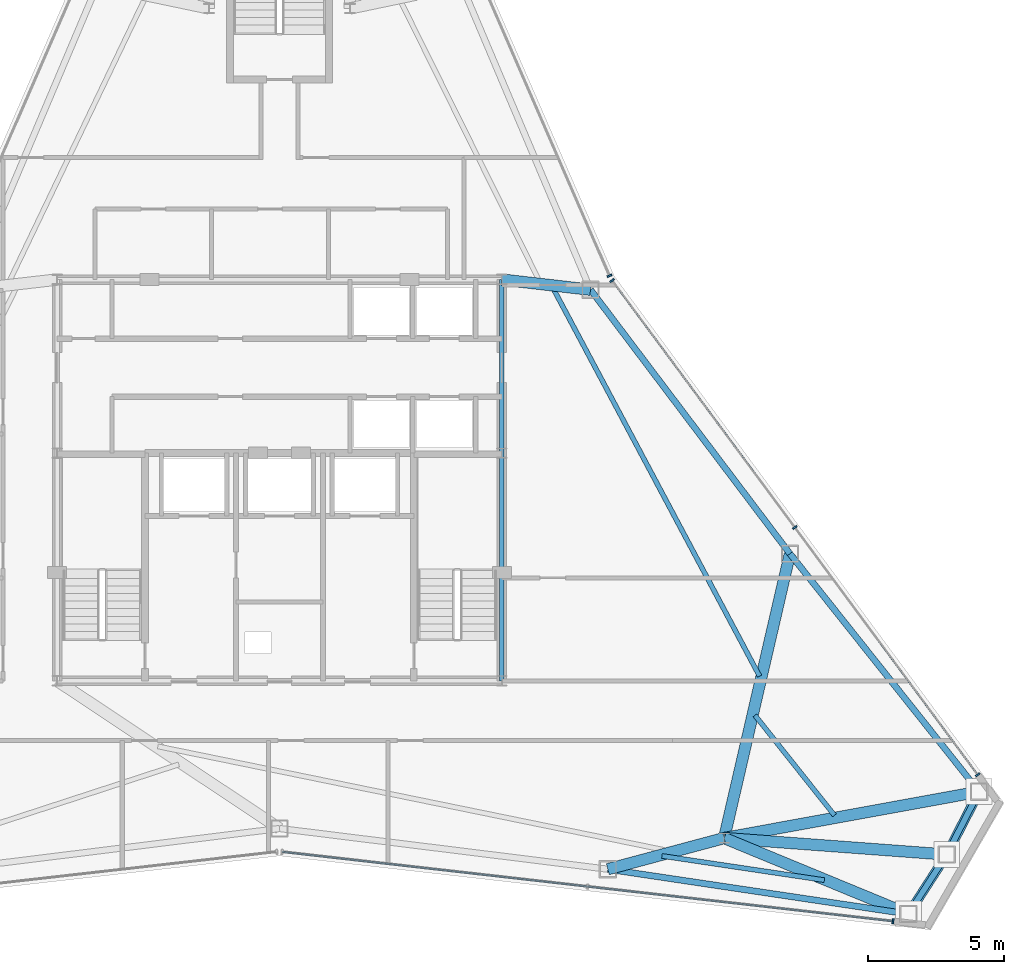
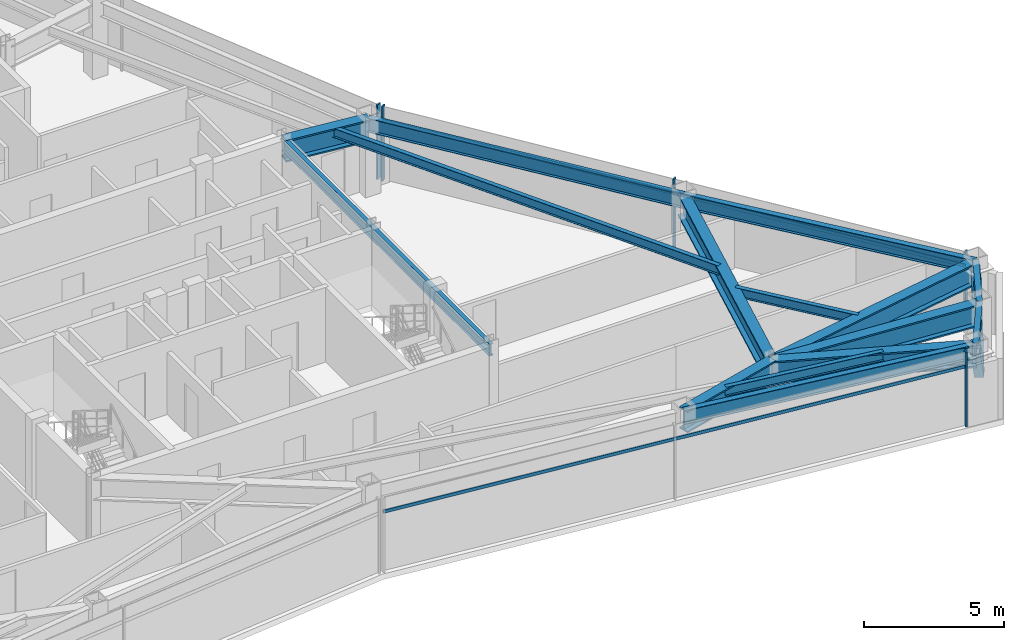
# One storey, part 6 of 11: 15 beams, 9 members, 3 elements without a shape of their own.
"""IFC4 building model written with IfcOpenShell, lengths in metres."""

from ifc_helpers import new_model, si_unit, direction, frame, origin, origin_2d, place, context, subcontext, project, spatial, rectangle, hollow_rectangle, i_section, extrude, source, transform, mapped, material, layer, layer_set, material_profile, profile_set, type_object, type_shapes, element, aggregate, save


model = new_model("IFC4")

# Units and contexts
model_context = context("Model", 3, precision=1e-05, world=origin(), true_north=direction((0.0, 1.0)))
body_context = subcontext(model_context, "Body", "Model", "MODEL_VIEW")
ifc_project = project(units=[si_unit("LENGTHUNIT", "METRE"), si_unit("AREAUNIT", "SQUARE_METRE"), si_unit("VOLUMEUNIT", "CUBIC_METRE"), si_unit("PLANEANGLEUNIT", "RADIAN"), si_unit("MASSUNIT", "GRAM", prefix="KILO")], contexts=[model_context])

# Site, building, storey
site_placement = place(None, origin())
site = spatial("IfcSite", under=ifc_project, at=site_placement, CompositionType="ELEMENT")
building_placement = place(site_placement, origin())
building = spatial("IfcBuilding", under=site, at=building_placement, Name="Varakhsha Concourse Tower", CompositionType="ELEMENT")
storey_placement = place(building_placement, frame((0.0, 0.0, 279.5)))
storey = spatial("IfcBuildingStorey", under=building, at=storey_placement, Name="L79", CompositionType="ELEMENT", Elevation=279.5)

# Beams
ifc_material_1 = material(Name="Structural Steel ASTM A992 Grade 50", Category="steel")
ifc_material_profile_1 = material_profile(ifc_material_1, i_section(OverallWidth=0.177978515625, OverallDepth=0.406982421875, WebThickness=0.008056640625, FlangeThickness=0.012939453125, at=origin_2d()), Name="W16X40")
ifc_profile_set_1 = profile_set([ifc_material_profile_1], Name="Structural Steel ASTM A992 Grade 50")
beam_type_1 = type_object("IfcBeamType", Name="BM-JST-W16X40", PredefinedType="JOIST", material=ifc_profile_set_1)
beam_1_placement = place(storey_placement, frame((54.1064453125, 9.940673828125, 3.04638671875), z_axis=(0.989050778545, -0.14757559913, 0.0), x_axis=(0.14757559913, 0.989050778545, 0.0)))
element("IfcBeam", 1, at=beam_1_placement, inside=storey, type_object=beam_type_1, Name="BM-TJST-L79-12", PredefinedType="JOIST", context=body_context, shape_type="SweptSolid", body=[
    extrude(i_section(OverallWidth=0.177978515625, OverallDepth=0.406982421875, WebThickness=0.008056640625, FlangeThickness=0.012939453125, at=origin_2d()), origin(), (0.0, 0.0, 1.0), 6.056640625),
])
beam_2_placement = place(storey_placement, frame((60.468505859375, 11.43994140625, 3.04638671875), z_axis=(-0.622297049911, 0.782781183775, 0.0), x_axis=(-0.782781183775, -0.622297049911, 0.0)))
element("IfcBeam", 2, at=beam_2_placement, inside=storey, type_object=beam_type_1, Name="BM-TJST-L79-15", PredefinedType="JOIST", context=body_context, shape_type="SweptSolid", body=[
    extrude(i_section(OverallWidth=0.177978515625, OverallDepth=0.406982421875, WebThickness=0.008056640625, FlangeThickness=0.012939453125, at=origin_2d()), origin(), (0.0, 0.0, 1.0), 4.71142578125),
])
beam_3_placement = place(storey_placement, frame((57.707763671875, 16.569580078125, 3.04638671875), z_axis=(-0.469879718571, 0.88273045154, 0.0), x_axis=(-0.88273045154, -0.469879718571, 0.0)))
element("IfcBeam", 3, at=beam_3_placement, inside=storey, type_object=beam_type_1, Name="BM-TJST-L79-16", PredefinedType="JOIST", context=body_context, shape_type="SweptSolid", body=[
    extrude(i_section(OverallWidth=0.177978515625, OverallDepth=0.406982421875, WebThickness=0.008056640625, FlangeThickness=0.012939453125, at=origin_2d()), origin(), (0.0, 0.0, 1.0), 16.224853515625),
])
ifc_material_profile_2 = material_profile(ifc_material_1, i_section(OverallWidth=0.423095703125, OverallDepth=0.947998046875, WebThickness=0.0380859375, FlangeThickness=0.06396484375, at=origin_2d()), Name="W36X302")
ifc_profile_set_2 = profile_set([ifc_material_profile_2], Name="Structural Steel ASTM A992 Grade 50")
beam_type_2 = type_object("IfcBeamType", Name="BM-OUTR-W36X302", PredefinedType="USERDEFINED", material=ifc_profile_set_2)
beam_4_placement = place(storey_placement, frame((56.39990234375, 10.60009765625, 2.77587890625), z_axis=(-0.965982637978, -0.258606927838, 0.0), x_axis=(0.258606927838, -0.965982637978, 0.0)))
element("IfcBeam", 4, at=beam_4_placement, inside=storey, type_object=beam_type_2, Name="L79 Radial Floor Girder 12", ObjectType="GIRDER", PredefinedType="USERDEFINED", context=body_context, shape_type="SweptSolid", body=[
    extrude(i_section(OverallWidth=0.423095703125, OverallDepth=0.947998046875, WebThickness=0.0380859375, FlangeThickness=0.06396484375, at=origin_2d()), origin(), (0.0, 0.0, 1.0), 4.44091796875),
])
beam_5_placement = place(storey_placement, frame((56.39990234375, 10.60009765625, 2.77587890625), z_axis=(0.924468161954, -0.381259252392, 0.0), x_axis=(0.381259252392, 0.924468161954, 0.0)))
element("IfcBeam", 5, at=beam_5_placement, inside=storey, type_object=beam_type_2, Name="L79 Radial Floor Girder 13", ObjectType="GIRDER", PredefinedType="USERDEFINED", context=body_context, shape_type="SweptSolid", body=[
    extrude(i_section(OverallWidth=0.423095703125, OverallDepth=0.947998046875, WebThickness=0.0380859375, FlangeThickness=0.06396484375, at=origin_2d()), origin(), (0.0, 0.0, 1.0), 7.3505859375),
])
beam_6_placement = place(storey_placement, frame((56.39990234375, 10.60009765625, 2.77587890625), z_axis=(0.997265326359, -0.073904457528, 0.0), x_axis=(0.073904457528, 0.997265326359, 0.0)))
element("IfcBeam", 6, at=beam_6_placement, inside=storey, type_object=beam_type_2, Name="L79 Radial Floor Girder 14", ObjectType="GIRDER", PredefinedType="USERDEFINED", context=body_context, shape_type="SweptSolid", body=[
    extrude(i_section(OverallWidth=0.423095703125, OverallDepth=0.947998046875, WebThickness=0.0380859375, FlangeThickness=0.06396484375, at=origin_2d()), origin(), (0.0, 0.0, 1.0), 8.232177734375),
])
beam_7_placement = place(storey_placement, frame((56.39990234375, 10.60009765625, 2.77587890625), z_axis=(0.983804040319, 0.179247343778, 0.0), x_axis=(-0.179247343778, 0.983804040319, 0.0)))
element("IfcBeam", 7, at=beam_7_placement, inside=storey, type_object=beam_type_2, Name="L79 Radial Floor Girder 15", ObjectType="GIRDER", PredefinedType="USERDEFINED", context=body_context, shape_type="SweptSolid", body=[
    extrude(i_section(OverallWidth=0.423095703125, OverallDepth=0.947998046875, WebThickness=0.0380859375, FlangeThickness=0.06396484375, at=origin_2d()), origin(), (0.0, 0.0, 1.0), 9.557373046875),
])
beam_8_placement = place(storey_placement, frame((56.39990234375, 10.60009765625, 2.77587890625), z_axis=(0.225527043555, 0.974236907854, 0.0), x_axis=(-0.974236907854, 0.225527043555, 0.0)))
element("IfcBeam", 8, at=beam_8_placement, inside=storey, type_object=beam_type_2, Name="L79 Radial Floor Girder 16", ObjectType="GIRDER", PredefinedType="USERDEFINED", context=body_context, shape_type="SweptSolid", body=[
    extrude(i_section(OverallWidth=0.423095703125, OverallDepth=0.947998046875, WebThickness=0.0380859375, FlangeThickness=0.06396484375, at=origin_2d()), origin(), (0.0, 0.0, 1.0), 10.763671875),
])
beam_9_placement = place(storey_placement, frame((48.199951171875, 31.199951171875, 2.77587890625), z_axis=(0.993437473309, -0.114376512559, 0.0), x_axis=(0.114376512559, 0.993437473309, 0.0)))
element("IfcBeam", 9, at=beam_9_placement, inside=storey, type_object=beam_type_2, Name="L79 Radial Floor Girder 17", ObjectType="GIRDER", PredefinedType="USERDEFINED", context=body_context, shape_type="SweptSolid", body=[
    extrude(i_section(OverallWidth=0.423095703125, OverallDepth=0.947998046875, WebThickness=0.0380859375, FlangeThickness=0.06396484375, at=origin_2d()), origin(), (0.0, 0.0, 1.0), 3.293701171875),
])
ifc_material_profile_3 = material_profile(ifc_material_1, i_section(OverallWidth=0.1669921875, OverallDepth=0.534912109375, WebThickness=0.010009765625, FlangeThickness=0.01708984375, at=origin_2d()), Name="W21X57")
ifc_profile_set_3 = profile_set([ifc_material_profile_3], Name="Structural Steel ASTM A992 Grade 50")
beam_type_3 = type_object("IfcBeamType", Name="BM-RAD-W21X57", PredefinedType="BEAM", material=ifc_profile_set_3)
beam_10_placement = place(storey_placement, frame((48.199951171875, 16.39990234375, 2.982421875), z_axis=(0.0, 1.0, 0.0), x_axis=(-1.0, 0.0, 0.0)))
element("IfcBeam", 10, at=beam_10_placement, inside=storey, type_object=beam_type_3, Name="BM-TCORE-L79-CE", PredefinedType="BEAM", context=body_context, shape_type="SweptSolid", body=[
    extrude(i_section(OverallWidth=0.1669921875, OverallDepth=0.534912109375, WebThickness=0.010009765625, FlangeThickness=0.01708984375, at=origin_2d()), origin(), (0.0, 0.0, 1.0), 14.800048828125),
])
ifc_material_profile_4 = material_profile(ifc_material_1, i_section(OverallWidth=0.22900390625, OverallDepth=0.612060546875, WebThickness=0.011962890625, FlangeThickness=0.02001953125, at=origin_2d()), Name="W24X84")
ifc_profile_set_4 = profile_set([ifc_material_profile_4], Name="Structural Steel ASTM A992 Grade 50")
beam_type_4 = type_object("IfcBeamType", Name="BM-SPAN-W24X84", PredefinedType="SPANDREL", material=ifc_profile_set_4)
beam_11_placement = place(storey_placement, frame((52.110107421875, 9.45166015625, 2.944091796875), z_axis=(0.989050299735, -0.147578808076, 0.0), x_axis=(0.147578808076, 0.989050299735, 0.0)))
element("IfcBeam", 11, at=beam_11_placement, inside=storey, type_object=beam_type_4, Name="BM-SPAN-L79-12", PredefinedType="SPANDREL", context=body_context, shape_type="SweptSolid", body=[
    extrude(i_section(OverallWidth=0.22900390625, OverallDepth=0.612060546875, WebThickness=0.011962890625, FlangeThickness=0.02001953125, at=origin_2d()), origin(), (0.0, 0.0, 1.0), 11.2080078125),
])
beam_12_placement = place(storey_placement, frame((63.1953125, 7.797607421875, 2.944091796875), z_axis=(0.541792375817, 0.840512356546, 0.0), x_axis=(-0.840512356546, 0.541792375817, 0.0)))
element("IfcBeam", 12, at=beam_12_placement, inside=storey, type_object=beam_type_4, Name="BM-SPAN-L79-13", PredefinedType="SPANDREL", context=body_context, shape_type="SweptSolid", body=[
    extrude(i_section(OverallWidth=0.22900390625, OverallDepth=0.612060546875, WebThickness=0.011962890625, FlangeThickness=0.02001953125, at=origin_2d()), origin(), (0.0, 0.0, 1.0), 2.6103515625),
])
beam_13_placement = place(storey_placement, frame((64.609619140625, 9.99169921875, 2.944091796875), z_axis=(0.457026728921, 0.889452960562, 0.0), x_axis=(-0.889452960562, 0.457026728921, 0.0)))
element("IfcBeam", 13, at=beam_13_placement, inside=storey, type_object=beam_type_4, Name="BM-SPAN-L79-14", PredefinedType="SPANDREL", context=body_context, shape_type="SweptSolid", body=[
    extrude(i_section(OverallWidth=0.22900390625, OverallDepth=0.612060546875, WebThickness=0.011962890625, FlangeThickness=0.02001953125, at=origin_2d()), origin(), (0.0, 0.0, 1.0), 2.610107421875),
])
beam_14_placement = place(storey_placement, frame((65.802490234375, 12.313232421875, 2.944091796875), z_axis=(-0.62232797875, 0.782756594903, 0.0), x_axis=(-0.782756594903, -0.62232797875, 0.0)))
element("IfcBeam", 14, at=beam_14_placement, inside=storey, type_object=beam_type_4, Name="BM-SPAN-L79-15", PredefinedType="SPANDREL", context=body_context, shape_type="SweptSolid", body=[
    extrude(i_section(OverallWidth=0.22900390625, OverallDepth=0.612060546875, WebThickness=0.011962890625, FlangeThickness=0.02001953125, at=origin_2d()), origin(), (0.0, 0.0, 1.0), 11.2080078125),
])
beam_15_placement = place(storey_placement, frame((58.827392578125, 21.08642578125, 2.944091796875), z_axis=(-0.60276855687, 0.797916077572, 0.0), x_axis=(-0.797916077572, -0.60276855687, 0.0)))
element("IfcBeam", 15, at=beam_15_placement, inside=storey, type_object=beam_type_4, Name="BM-SPAN-L79-16", PredefinedType="SPANDREL", context=body_context, shape_type="SweptSolid", body=[
    extrude(i_section(OverallWidth=0.22900390625, OverallDepth=0.612060546875, WebThickness=0.011962890625, FlangeThickness=0.02001953125, at=origin_2d()), origin(), (0.0, 0.0, 1.0), 12.202880859375),
])

# Members
ifc_material_2 = material(Name="Structural Steel ASTM A500 Grade C", Category="steel")
ifc_material_profile_5 = material_profile(ifc_material_2, hollow_rectangle(XDim=0.35009765625, YDim=0.35009765625, WallThickness=0.01611328125, at=origin_2d()), Name="HSS 350x350x16")
ifc_profile_set_5 = profile_set([ifc_material_profile_5], Name="Structural Steel ASTM A500 Grade C")
member_type_1 = type_object("IfcMemberType", Name="MB-TUBE-HSS350", PredefinedType="BRACE", material=ifc_profile_set_5)
shared_shape_1 = source(origin(), body_context, "Body", "SweptSolid", [
    extrude(hollow_rectangle(XDim=0.35009765625, YDim=0.35009765625, WallThickness=0.01611328125, at=origin_2d()), origin(), (0.0, 0.0, 1.0), 3.849853515625),
])
member_1_placement = place(storey_placement, frame((64.609619140625, 9.99169921875, 0.1201171875), z_axis=(-0.367355317678, -0.569898539612, 0.735027703643), x_axis=(0.840512356546, -0.541792375817, 0.0)))
element("IfcMember", 16, at=member_1_placement, inside=storey, type_object=member_type_1, Name="L79 Wind-Corner Tube Brace B05", PredefinedType="BRACE", context=body_context, shape_type="MappedRepresentation", body=[
    mapped(shared_shape_1, transform((0.0, 0.0, 0.0), scale=1.0)),
])
shared_shape_2 = source(origin(), body_context, "Body", "SweptSolid", [
    extrude(hollow_rectangle(XDim=0.35009765625, YDim=0.35009765625, WallThickness=0.01611328125, at=origin_2d()), origin(), (0.0, 0.0, 1.0), 3.849609375),
])
type_shapes(member_type_1, [shared_shape_1, shared_shape_2])
member_2_placement = place(storey_placement, frame((64.609619140625, 9.99169921875, 0.1201171875), z_axis=(0.309858407684, 0.603037985809, 0.735073435011), x_axis=(-0.889452960562, 0.457026728921, 0.0)))
element("IfcMember", 17, at=member_2_placement, inside=storey, type_object=member_type_1, Name="L79 Wind-Corner Tube Brace B06", PredefinedType="BRACE", context=body_context, shape_type="MappedRepresentation", body=[
    mapped(shared_shape_2, transform((0.0, 0.0, 0.0), scale=1.0)),
])

# Curtain wall, member
ifc_material_3 = material(Name="Anodised Bronze Architectural Aluminium AA 6063-T6", Category="aluminium")
ifc_layer = layer(ifc_material_3, 0.199951171875, Name="CW-SYS-05")
ifc_layer_set = layer_set([ifc_layer], Name="Anodised Bronze Architectural Aluminium AA 6063-T6")
curtain_wall_type = type_object("IfcCurtainWallType", Name="CW-SYS-05", PredefinedType="NOTDEFINED", material=ifc_layer_set)
curtain_wall_1_placement = place(storey_placement, origin())
curtain_wall_1 = element("IfcCurtainWall", 18, at=curtain_wall_1_placement, inside=storey, type_object=curtain_wall_type, Name="L79 Crystal Curtain Wall F6", PredefinedType="NOTDEFINED")
ifc_material_profile_6 = material_profile(ifc_material_3, rectangle(XDim=0.06494140625, YDim=0.179931640625, at=origin_2d()), Name="CWM-180X65")
ifc_profile_set_6 = profile_set([ifc_material_profile_6], Name="Anodised Bronze Architectural Aluminium AA 6063-T6")
member_type_2 = type_object("IfcMemberType", Name="CWM-180X65", PredefinedType="MULLION", material=ifc_profile_set_6)
shared_shape_3 = source(origin(), body_context, "Body", "SweptSolid", [
    extrude(rectangle(XDim=0.06494140625, YDim=0.179931640625, at=origin_2d()), origin(), (0.0, 0.0, 1.0), 3.25),
])
type_shapes(member_type_2, [shared_shape_3])
member_3_placement = place(storey_placement, frame((62.62890625, 7.532470703125, 0.0), z_axis=(0.0, 0.0, 1.0), x_axis=(-0.993612689247, 0.112844245613, 0.0)))
member_3 = element("IfcMember", 19, at=member_3_placement, type_object=member_type_2, Name="CW-L79-F6 Mullion 00", PredefinedType="MULLION", context=body_context, shape_type="MappedRepresentation", body=[
    mapped(shared_shape_3, transform((0.0, 0.0, 0.0), scale=1.0)),
])

# Curtain wall, members
curtain_wall_2_placement = place(storey_placement, origin())
curtain_wall_2 = element("IfcCurtainWall", 20, at=curtain_wall_2_placement, inside=storey, type_object=curtain_wall_type, Name="L79 Crystal Curtain Wall F8", PredefinedType="NOTDEFINED")
member_4_placement = place(storey_placement, frame((52.26708984375, 31.169921875, 0.0), z_axis=(0.0, 0.0, 1.0), x_axis=(0.594533731364, -0.804070669948, 0.0)))
member_4 = element("IfcMember", 21, at=member_4_placement, type_object=member_type_2, Name="CW-L79-F8 Mullion 00", PredefinedType="MULLION", context=body_context, shape_type="MappedRepresentation", body=[
    mapped(shared_shape_3, transform((0.0, 0.0, 0.0), scale=1.0)),
])
member_5_placement = place(storey_placement, frame((59.008056640625, 22.05322265625, 0.0), z_axis=(0.0, 0.0, 1.0), x_axis=(0.594533731364, -0.804070669948, 0.0)))
member_5 = element("IfcMember", 22, at=member_5_placement, type_object=member_type_2, Name="CW-L79-F8 Mullion 01", PredefinedType="MULLION", context=body_context, shape_type="MappedRepresentation", body=[
    mapped(shared_shape_3, transform((0.0, 0.0, 0.0), scale=1.0)),
])
member_6_placement = place(storey_placement, frame((65.748779296875, 12.9365234375, 0.0), z_axis=(0.0, 0.0, 1.0), x_axis=(0.594533731364, -0.804070669948, 0.0)))
member_6 = element("IfcMember", 23, at=member_6_placement, type_object=member_type_2, Name="CW-L79-F8 Mullion 02", PredefinedType="MULLION", context=body_context, shape_type="MappedRepresentation", body=[
    mapped(shared_shape_3, transform((0.0, 0.0, 0.0), scale=1.0)),
])

# Curtain wall, member
curtain_wall_3_placement = place(storey_placement, origin())
curtain_wall_3 = element("IfcCurtainWall", 24, at=curtain_wall_3_placement, inside=storey, type_object=curtain_wall_type, Name="L79 Crystal Curtain Wall F9", PredefinedType="NOTDEFINED")
member_7_placement = place(storey_placement, frame((52.169677734375, 31.3388671875, 0.0), z_axis=(0.0, 0.0, 1.0), x_axis=(0.39908356189, -0.916914560158, 0.0)))
member_7 = element("IfcMember", 25, at=member_7_placement, type_object=member_type_2, Name="CW-L79-F9 Mullion 02", PredefinedType="MULLION", context=body_context, shape_type="MappedRepresentation", body=[
    mapped(shared_shape_3, transform((0.0, 0.0, 0.0), scale=1.0)),
])
aggregate(curtain_wall_3, [member_7])

# Member
ifc_material_profile_7 = material_profile(ifc_material_3, rectangle(XDim=0.06005859375, YDim=0.139892578125, at=origin_2d()), Name="CWT-140X60")
ifc_profile_set_7 = profile_set([ifc_material_profile_7], Name="Anodised Bronze Architectural Aluminium AA 6063-T6")
member_type_3 = type_object("IfcMemberType", Name="CWT-140X60", PredefinedType="USERDEFINED", material=ifc_profile_set_7)
shared_shape_4 = source(origin(), body_context, "Body", "SweptSolid", [
    extrude(rectangle(XDim=0.06005859375, YDim=0.139892578125, at=origin_2d()), origin(), (0.0, 0.0, 1.0), 22.67626953125),
])
type_shapes(member_type_3, [shared_shape_4])
member_8_placement = place(storey_placement, frame((62.62890625, 7.532470703125, 2.60009765625), z_axis=(-0.99361296623, 0.112841806706, 0.0), x_axis=(-0.112841806706, -0.99361296623, 0.0)))
member_8 = element("IfcMember", 26, at=member_8_placement, type_object=member_type_3, Name="CW-L79-F6 Transom 01", ObjectType="TRANSOM", PredefinedType="USERDEFINED", context=body_context, shape_type="MappedRepresentation", body=[
    mapped(shared_shape_4, transform((0.0, 0.0, 0.0), scale=1.0)),
])

aggregate(curtain_wall_1, [member_3, member_8])

member_9_placement = place(storey_placement, frame((52.26708984375, 31.169921875, 2.60009765625), z_axis=(0.594528790613, -0.80407432314, 0.0), x_axis=(0.80407432314, 0.594528790613, 0.0)))
member_9 = element("IfcMember", 27, at=member_9_placement, type_object=member_type_3, Name="CW-L79-F8 Transom 01", ObjectType="TRANSOM", PredefinedType="USERDEFINED", context=body_context, shape_type="MappedRepresentation", body=[
    mapped(shared_shape_4, transform((0.0, 0.0, 0.0), scale=1.0)),
])

aggregate(curtain_wall_2, [member_4, member_5, member_6, member_9])

save(model, "model.ifc")
